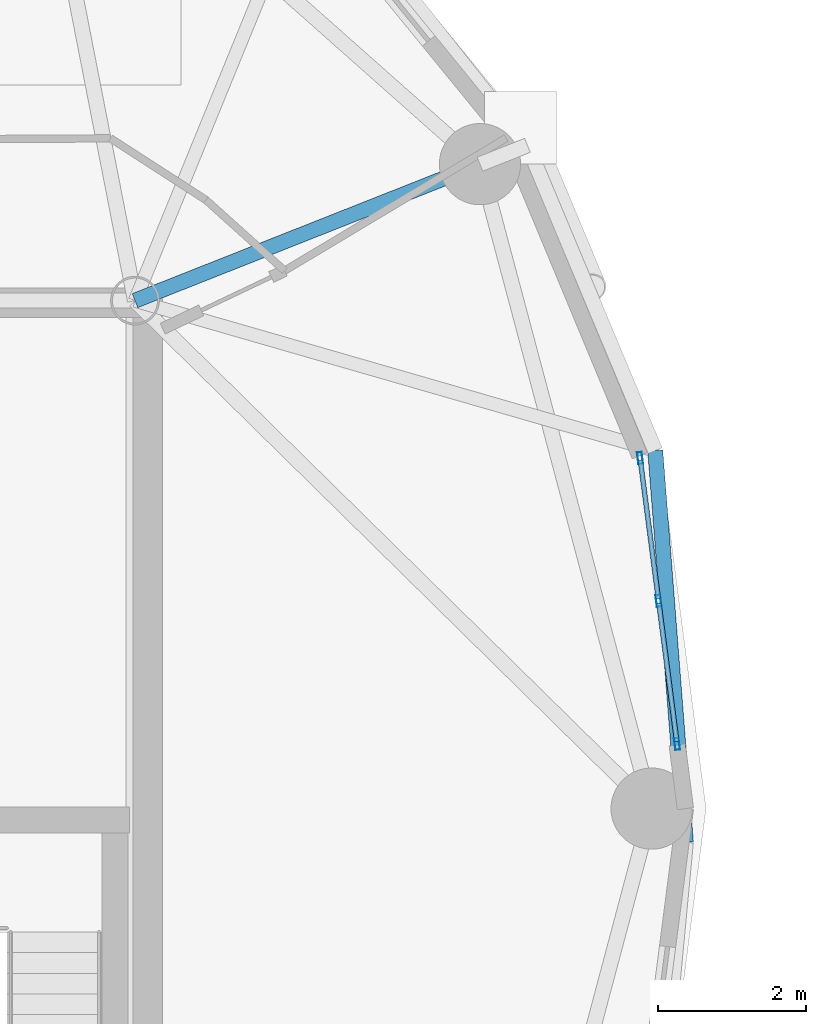
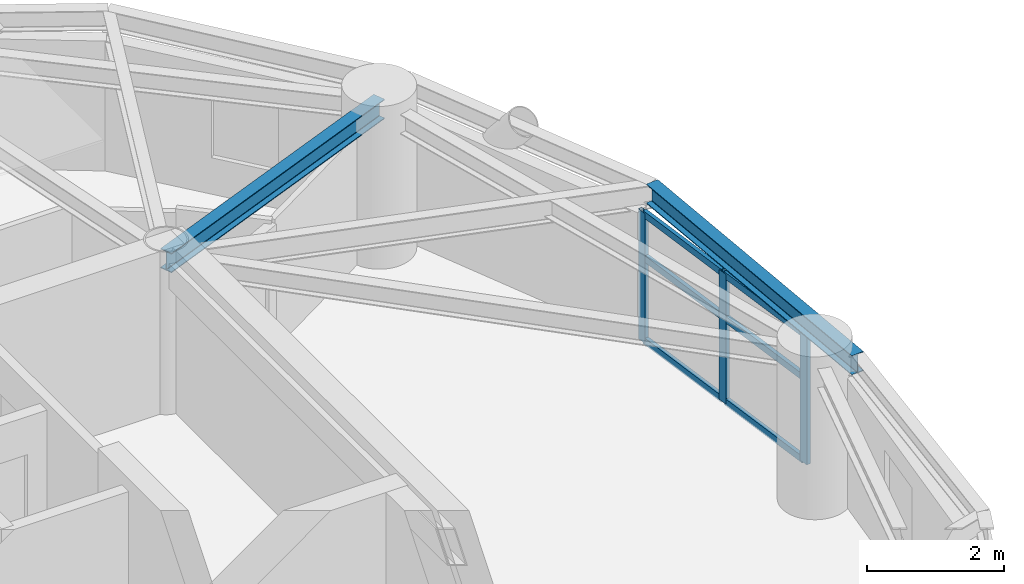
# One storey, part 3 of 16: 9 members, 2 beams, 1 element without a shape of its own.
"""IFC4 building model written with IfcOpenShell, lengths in metres."""

import ifcopenshell
import ifcopenshell.guid

model = None  # the IFC model being written
_history = None  # IfcOwnerHistory: only IFC2X3 demands one
_inside = {}  # id of a spatial element -> (the spatial element, [elements in it])
_under = {}  # id of a project, library or spatial element -> (it, [spatial elements below it])
_declared = {}  # id of a project -> (the project, [libraries it declares])
_typed = {}  # id of a type object -> (the type object, [elements of that type])
_made_of = {}  # id of a material, layer set ... -> (it, [elements and type objects made of it])


def new_model(schema):
    """Start an empty IFC model of exactly this schema.

    Asked for "IFC4X3", IfcOpenShell would pick the latest addendum, in which some entities
    have other attributes; the version numbers below select the first issue.
    IFC2X3 requires an IfcOwnerHistory on every rooted entity: one is made here for all.
    """
    global model, _history
    if schema == "IFC4X3":
        model = ifcopenshell.file(schema_version=(4, 3, 0, 0))
    else:
        model = ifcopenshell.file(schema=schema)
    _inside.clear()
    _under.clear()
    _declared.clear()
    _typed.clear()
    _made_of.clear()
    _history = None
    if model.schema == "IFC2X3":
        org = make("IfcOrganization", Name="unknown")
        user = make(
            "IfcPersonAndOrganization",
            ThePerson=make("IfcPerson", FamilyName="unknown"),
            TheOrganization=org,
        )
        app = make(
            "IfcApplication",
            ApplicationDeveloper=org,
            Version="unknown",
            ApplicationFullName="unknown",
            ApplicationIdentifier="unknown",
        )
        _history = make(
            "IfcOwnerHistory",
            OwningUser=user,
            OwningApplication=app,
            ChangeAction="ADDED",
            CreationDate=0,
        )
    return model


def make(cls, **values):
    """One entity of the class cls with the attributes given. An attribute that is None is left unset."""
    return model.create_entity(
        cls, **{name: value for name, value in values.items() if value is not None}
    )


def rooted(cls, **values):
    """An entity with a GlobalId (a new one), such as an element, a storey or a relation."""
    return make(cls, GlobalId=ifcopenshell.guid.new(), OwnerHistory=_history, **values)


def si_unit(unit_type, name, prefix=None):
    """IfcSIUnit, for example si_unit("LENGTHUNIT", "METRE", prefix="MILLI")."""
    return make("IfcSIUnit", UnitType=unit_type, Prefix=prefix, Name=name)


def assignment(units):
    """IfcUnitAssignment: the units of a project."""
    return None if units is None else make("IfcUnitAssignment", Units=units)


def point(xyz):
    """IfcCartesianPoint."""
    return None if xyz is None else make("IfcCartesianPoint", Coordinates=xyz)


def direction(xyz):
    """IfcDirection."""
    return None if xyz is None else make("IfcDirection", DirectionRatios=xyz)


def frame(location, z_axis=None, x_axis=None):
    """IfcAxis2Placement3D, a coordinate frame: its origin and axes. An axis left out is left unset."""
    return make(
        "IfcAxis2Placement3D",
        Location=point(location),
        Axis=direction(z_axis),
        RefDirection=direction(x_axis),
    )


def frame_2d(location, x_axis=None):
    """IfcAxis2Placement2D, a coordinate frame in the plane: its origin and x axis."""
    return make(
        "IfcAxis2Placement2D", Location=point(location), RefDirection=direction(x_axis)
    )


def origin():
    """The frame at (0, 0, 0) with its axes left unset."""
    return frame((0.0, 0.0, 0.0))


def origin_2d():
    """The frame at (0, 0) in the plane with its x axis left unset."""
    return frame_2d((0.0, 0.0))


def place(relative_to, where):
    """IfcLocalPlacement: puts the frame where relative to a parent placement (None: the world)."""
    return make(
        "IfcLocalPlacement", PlacementRelTo=relative_to, RelativePlacement=where
    )


def context(
    kind, dimensions, precision=None, world=None, true_north=None, identifier=None
):
    """IfcGeometricRepresentationContext, for example the 3D "Model" context."""
    return make(
        "IfcGeometricRepresentationContext",
        ContextIdentifier=identifier,
        ContextType=kind,
        CoordinateSpaceDimension=dimensions,
        Precision=precision,
        WorldCoordinateSystem=world,
        TrueNorth=true_north,
    )


def subcontext(parent, identifier, kind, view, scale=None):
    """IfcGeometricRepresentationSubContext, for example "Body" below "Model"."""
    return make(
        "IfcGeometricRepresentationSubContext",
        ContextIdentifier=identifier,
        ContextType=kind,
        ParentContext=parent,
        TargetScale=scale,
        TargetView=view,
    )


def project(units=None, contexts=None):
    """IfcProject with its units and contexts."""
    return rooted(
        "IfcProject",
        Name="project",
        RepresentationContexts=contexts,
        UnitsInContext=assignment(units),
    )


def spatial(cls, under=None, at=None, **own):
    """A site, building, storey or space (cls), placed at a placement, below another one or the project."""
    s = rooted(cls, ObjectPlacement=at, **own)
    if under is not None:
        _under.setdefault(under.id(), (under, []))[1].append(s)
    return s


def profile(cls, at=None, kind="AREA", **sizes):
    """A parametric profile (cls). Its sizes go by their IFC names, for example OverallWidth=200.0."""
    return make(cls, ProfileType=kind, Position=at, **sizes)


def hollow_rectangle(**sizes):
    """IfcRectangleHollowProfileDef."""
    return profile("IfcRectangleHollowProfileDef", **sizes)


def i_section(**sizes):
    """IfcIShapeProfileDef."""
    return profile("IfcIShapeProfileDef", **sizes)


def extrude(swept, where, along, depth):
    """IfcExtrudedAreaSolid: the profile swept, set in the frame where, extruded along a direction by depth."""
    return make(
        "IfcExtrudedAreaSolid",
        SweptArea=swept,
        Position=where,
        ExtrudedDirection=direction(along),
        Depth=depth,
    )


def shape(context_of_items, identifier, shape_type, items):
    """IfcShapeRepresentation: the items that make up one representation, for example the "Body"."""
    return make(
        "IfcShapeRepresentation",
        ContextOfItems=context_of_items,
        RepresentationIdentifier=identifier,
        RepresentationType=shape_type,
        Items=items,
    )


def material(Name=None, Category=None):
    """IfcMaterial."""
    return make("IfcMaterial", Name=Name, Category=Category)


def layer(
    of_material, thickness, ventilated=None, Name=None, Category=None, Priority=None
):
    """IfcMaterialLayer: one layer of a wall or slab, of a material (None: an air gap)."""
    return make(
        "IfcMaterialLayer",
        Material=of_material,
        LayerThickness=thickness,
        IsVentilated=ventilated,
        Name=Name,
        Category=Category,
        Priority=Priority,
    )


def layer_set(layers, Name=None):
    """IfcMaterialLayerSet."""
    return make("IfcMaterialLayerSet", MaterialLayers=layers, LayerSetName=Name)


def material_profile(
    of_material, cross_section, Name=None, Category=None, Priority=None
):
    """IfcMaterialProfile: a cross section and its material."""
    return make(
        "IfcMaterialProfile",
        Name=Name,
        Material=of_material,
        Profile=cross_section,
        Priority=Priority,
        Category=Category,
    )


def profile_set(profiles, Name=None, composite=None):
    """IfcMaterialProfileSet."""
    return make(
        "IfcMaterialProfileSet",
        Name=Name,
        MaterialProfiles=profiles,
        CompositeProfile=composite,
    )


def made_of(thing, what):
    """Note that an element or type object is made of a material, layer set ...; save() writes the relation."""
    if what is not None:
        _made_of.setdefault(what.id(), (what, []))[1].append(thing)
    return thing


def type_object(cls, material=None, **own):
    """A type object (cls), such as IfcWallType, which elements share."""
    return made_of(rooted(cls, **own), material)


def element(
    cls,
    number,
    at=None,
    inside=None,
    cuts=None,
    type_object=None,
    material=None,
    context=None,
    identifier="Body",
    shape_type=None,
    held_by="IfcProductDefinitionShape",
    body=None,
    shapes=None,
    **own,
):
    """One element of the class cls, such as IfcWall. Its Tag is "e" and its number.

    at: its placement. inside: the storey or other place that contains it. cuts: it is an
    opening in that element (IfcRelVoidsElement). A single representation is given by context,
    identifier, shape_type and body (its items); several are given by shapes. held_by: the class
    of the entity that holds the representations. save() writes the other relations.
    """
    e = rooted(cls, Tag="e%d" % number, ObjectPlacement=at, **own)
    if body is not None:
        shapes = [shape(context, identifier, shape_type, body)]
    if shapes is not None:
        e.Representation = make(held_by, Representations=shapes)
    if inside is not None:
        _inside.setdefault(inside.id(), (inside, []))[1].append(e)
    if cuts is not None:
        rooted(
            "IfcRelVoidsElement", RelatingBuildingElement=cuts, RelatedOpeningElement=e
        )
    if type_object is not None:
        _typed.setdefault(type_object.id(), (type_object, []))[1].append(e)
    return made_of(e, material)


def aggregate(whole, parts):
    """IfcRelAggregates: a whole, such as a stair, and the parts it consists of."""
    return rooted("IfcRelAggregates", RelatingObject=whole, RelatedObjects=parts)


def save(model, path):
    """Write the relations noted so far, then the file.

    IfcRelAggregates (storeys below a building ...), IfcRelContainedInSpatialStructure (elements
    in a storey), IfcRelDefinesByType, IfcRelAssociatesMaterial and IfcRelDeclares: one each for
    every whole, place, type object, material and project.
    """
    for whole, parts in _under.values():
        aggregate(whole, parts)
    for where, things in _inside.values():
        rooted(
            "IfcRelContainedInSpatialStructure",
            RelatedElements=things,
            RelatingStructure=where,
        )
    for kind, things in _typed.values():
        rooted("IfcRelDefinesByType", RelatedObjects=things, RelatingType=kind)
    for what, things in _made_of.values():
        rooted("IfcRelAssociatesMaterial", RelatedObjects=things, RelatingMaterial=what)
    for by, libraries in _declared.values():
        rooted("IfcRelDeclares", RelatingContext=by, RelatedDefinitions=libraries)
    model.write(path)


model = new_model("IFC4")

# Units and contexts
model_context = context("Model", 3, precision=1e-05, world=origin(), true_north=direction((0.0, 1.0)))
body_context = subcontext(model_context, "Body", "Model", "MODEL_VIEW")
ifc_project = project(units=[si_unit("LENGTHUNIT", "METRE"), si_unit("AREAUNIT", "SQUARE_METRE"), si_unit("VOLUMEUNIT", "CUBIC_METRE"), si_unit("PLANEANGLEUNIT", "RADIAN"), si_unit("MASSUNIT", "GRAM", prefix="KILO")], contexts=[model_context])

# Site, building, storey
site_placement = place(None, origin())
site = spatial("IfcSite", under=ifc_project, at=site_placement, CompositionType="ELEMENT")
building_placement = place(site_placement, origin())
building = spatial("IfcBuilding", under=site, at=building_placement, Name="Cununo Teusaquillo Station Towers", CompositionType="ELEMENT")
storey_placement = place(building_placement, frame((0.0, 0.0, 196.659912109375)))
storey = spatial("IfcBuildingStorey", under=building, at=storey_placement, Name="L62", CompositionType="ELEMENT", Elevation=196.659912109375)

# Beams
ifc_material_1 = material(Name="Steel ASTM A572 Grade 50", Category="steel")
ifc_material_profile_1 = material_profile(ifc_material_1, i_section(OverallWidth=0.2041015625, OverallDepth=0.35009765625, WebThickness=0.008544921875, FlangeThickness=0.01513671875, FilletRadius=0.011962890625, at=origin_2d()), Name="W14X48")
ifc_profile_set_1 = profile_set([ifc_material_profile_1], Name="Steel ASTM A572 Grade 50")
beam_type_1 = type_object("IfcBeamType", Name="BM-RAD-G3", PredefinedType="BEAM", material=ifc_profile_set_1)
beam_1_placement = place(storey_placement, frame((21.675048828125, 31.3798828125, 2.525146484375), z_axis=(0.929864104313, 0.367903176814, 0.0), x_axis=(-0.367903176814, 0.929864104313, 0.0)))
element("IfcBeam", 1, at=beam_1_placement, inside=storey, type_object=beam_type_1, Name="L62 Tower A Radial Girder 02A", PredefinedType="BEAM", context=body_context, shape_type="SweptSolid", body=[
    extrude(i_section(OverallWidth=0.2041015625, OverallDepth=0.35009765625, WebThickness=0.008544921875, FlangeThickness=0.01513671875, FilletRadius=0.011962890625, at=origin_2d()), origin(), (0.0, 0.0, 1.0), 5.02490234375),
])
ifc_material_2 = material(Name="Steel ASTM A572 Grade 50", Category="steel")
ifc_material_profile_2 = material_profile(ifc_material_2, i_section(OverallWidth=0.2041015625, OverallDepth=0.35009765625, WebThickness=0.008544921875, FlangeThickness=0.01513671875, FilletRadius=0.011962890625, at=origin_2d()), Name="W14X48")
ifc_profile_set_2 = profile_set([ifc_material_profile_2], Name="Steel ASTM A572 Grade 50")
beam_type_2 = type_object("IfcBeamType", Name="BM-RING-Z4", PredefinedType="SPANDREL", material=ifc_profile_set_2)
beam_2_placement = place(storey_placement, frame((29.135498046875, 24.044189453125, 2.525146484375), z_axis=(-0.077871988965, 0.996963366095, 0.0), x_axis=(-0.996963366095, -0.077871988965, 0.0)))
element("IfcBeam", 2, at=beam_2_placement, inside=storey, type_object=beam_type_2, Name="L62 Tower A Spandrel Ring Beam 01", PredefinedType="SPANDREL", context=body_context, shape_type="SweptSolid", body=[
    extrude(i_section(OverallWidth=0.2041015625, OverallDepth=0.35009765625, WebThickness=0.008544921875, FlangeThickness=0.01513671875, FilletRadius=0.011962890625, at=origin_2d()), origin(), (0.0, 0.0, 1.0), 5.3203125),
])

# Curtain wall, members
ifc_material_3 = material(Name="Ceramic-fritted dark low-E double glazing", Category="glass")
ifc_layer = layer(ifc_material_3, 0.179931640625)
ifc_layer_set = layer_set([ifc_layer], Name="Ceramic-fritted dark low-E double glazing")
curtain_wall_type = type_object("IfcCurtainWallType", Name="CW-SYS-07", PredefinedType="USERDEFINED", material=ifc_layer_set)
curtain_wall_placement = place(storey_placement, origin())
curtain_wall = element("IfcCurtainWall", 3, at=curtain_wall_placement, inside=storey, type_object=curtain_wall_type, Name="L62 Tower A Facade Curtain Wall C00", ObjectType="FRITTED GLAZING", PredefinedType="USERDEFINED")
ifc_material_4 = material(Name="Anodised dark bronze aluminium EN AW-6063-T6", Category="aluminium")
ifc_material_profile_3 = material_profile(ifc_material_4, hollow_rectangle(XDim=0.06494140625, YDim=0.159912109375, WallThickness=0.00390625, at=origin_2d()), Name="CW-MULL-65x160")
ifc_profile_set_3 = profile_set([ifc_material_profile_3], Name="Anodised dark bronze aluminium EN AW-6063-T6")
member_type_1 = type_object("IfcMemberType", Name="CWM-160", PredefinedType="MULLION", material=ifc_profile_set_3)
member_1_placement = place(storey_placement, frame((28.515869140625, 29.248291015625, 0.0), z_axis=(0.0, 0.0, 1.0), x_axis=(0.991741528461, 0.12825264413, 0.0)))
member_1 = element("IfcMember", 4, at=member_1_placement, type_object=member_type_1, Name="CW-07 mullion 1", PredefinedType="MULLION", context=body_context, shape_type="SweptSolid", body=[
    extrude(hollow_rectangle(XDim=0.06494140625, YDim=0.159912109375, WallThickness=0.00390625, at=origin_2d()), origin(), (0.0, 0.0, 1.0), 2.322021484375),
])
member_2_placement = place(storey_placement, frame((28.766357421875, 27.311767578125, 0.0), z_axis=(0.0, 0.0, 1.0), x_axis=(0.991741528461, 0.12825264413, 0.0)))
member_2 = element("IfcMember", 5, at=member_2_placement, type_object=member_type_1, Name="CW-07 mullion 2", PredefinedType="MULLION", context=body_context, shape_type="SweptSolid", body=[
    extrude(hollow_rectangle(XDim=0.06494140625, YDim=0.159912109375, WallThickness=0.00390625, at=origin_2d()), origin(), (0.0, 0.0, 1.0), 2.322021484375),
])
member_3_placement = place(storey_placement, frame((29.016845703125, 25.375244140625, 0.0), z_axis=(0.0, 0.0, 1.0), x_axis=(0.991741528461, 0.12825264413, 0.0)))
member_3 = element("IfcMember", 6, at=member_3_placement, type_object=member_type_1, Name="CW-07 mullion 3", PredefinedType="MULLION", context=body_context, shape_type="SweptSolid", body=[
    extrude(hollow_rectangle(XDim=0.06494140625, YDim=0.159912109375, WallThickness=0.00390625, at=origin_2d()), origin(), (0.0, 0.0, 1.0), 2.322021484375),
])
ifc_material_5 = material(Name="Anodised dark bronze aluminium EN AW-6063-T6", Category="aluminium")
ifc_material_profile_4 = material_profile(ifc_material_5, hollow_rectangle(XDim=0.06494140625, YDim=0.1201171875, WallThickness=0.00390625, at=origin_2d()), Name="CW-TRAN-65x120")
ifc_profile_set_4 = profile_set([ifc_material_profile_4], Name="Anodised dark bronze aluminium EN AW-6063-T6")
member_type_2 = type_object("IfcMemberType", Name="CWT-120", PredefinedType="USERDEFINED", material=ifc_profile_set_4)
member_4_placement = place(storey_placement, frame((28.52001953125, 29.216064453125, 0.032470703125), z_axis=(0.128299630595, -0.99173545101, 0.0), x_axis=(0.99173545101, 0.128299630595, 0.0)))
member_4 = element("IfcMember", 7, at=member_4_placement, type_object=member_type_2, Name="CW-07 transom 1.1", ObjectType="TRANSOM", PredefinedType="USERDEFINED", context=body_context, shape_type="SweptSolid", body=[
    extrude(hollow_rectangle(XDim=0.06494140625, YDim=0.1201171875, WallThickness=0.00390625, at=origin_2d()), origin(), (0.0, 0.0, 1.0), 1.8876953125),
])
member_5_placement = place(storey_placement, frame((28.52001953125, 29.216064453125, 1.509033203125), z_axis=(0.128299630595, -0.99173545101, 0.0), x_axis=(0.99173545101, 0.128299630595, 0.0)))
member_5 = element("IfcMember", 8, at=member_5_placement, type_object=member_type_2, Name="CW-07 transom 1.2", ObjectType="TRANSOM", PredefinedType="USERDEFINED", context=body_context, shape_type="SweptSolid", body=[
    extrude(hollow_rectangle(XDim=0.06494140625, YDim=0.1201171875, WallThickness=0.00390625, at=origin_2d()), origin(), (0.0, 0.0, 1.0), 1.8876953125),
])
member_6_placement = place(storey_placement, frame((28.52001953125, 29.216064453125, 2.28955078125), z_axis=(0.128299630595, -0.99173545101, 0.0), x_axis=(0.99173545101, 0.128299630595, 0.0)))
member_6 = element("IfcMember", 9, at=member_6_placement, type_object=member_type_2, Name="CW-07 transom 1.3", ObjectType="TRANSOM", PredefinedType="USERDEFINED", context=body_context, shape_type="SweptSolid", body=[
    extrude(hollow_rectangle(XDim=0.06494140625, YDim=0.1201171875, WallThickness=0.00390625, at=origin_2d()), origin(), (0.0, 0.0, 1.0), 1.8876953125),
])
member_7_placement = place(storey_placement, frame((28.7705078125, 27.279541015625, 0.032470703125), z_axis=(0.128299630595, -0.99173545101, 0.0), x_axis=(0.99173545101, 0.128299630595, 0.0)))
member_7 = element("IfcMember", 10, at=member_7_placement, type_object=member_type_2, Name="CW-07 transom 2.1", ObjectType="TRANSOM", PredefinedType="USERDEFINED", context=body_context, shape_type="SweptSolid", body=[
    extrude(hollow_rectangle(XDim=0.06494140625, YDim=0.1201171875, WallThickness=0.00390625, at=origin_2d()), origin(), (0.0, 0.0, 1.0), 1.8876953125),
])
member_8_placement = place(storey_placement, frame((28.7705078125, 27.279541015625, 1.509033203125), z_axis=(0.128299630595, -0.99173545101, 0.0), x_axis=(0.99173545101, 0.128299630595, 0.0)))
member_8 = element("IfcMember", 11, at=member_8_placement, type_object=member_type_2, Name="CW-07 transom 2.2", ObjectType="TRANSOM", PredefinedType="USERDEFINED", context=body_context, shape_type="SweptSolid", body=[
    extrude(hollow_rectangle(XDim=0.06494140625, YDim=0.1201171875, WallThickness=0.00390625, at=origin_2d()), origin(), (0.0, 0.0, 1.0), 1.8876953125),
])
member_9_placement = place(storey_placement, frame((28.7705078125, 27.279541015625, 2.28955078125), z_axis=(0.128299630595, -0.99173545101, 0.0), x_axis=(0.99173545101, 0.128299630595, 0.0)))
member_9 = element("IfcMember", 12, at=member_9_placement, type_object=member_type_2, Name="CW-07 transom 2.3", ObjectType="TRANSOM", PredefinedType="USERDEFINED", context=body_context, shape_type="SweptSolid", body=[
    extrude(hollow_rectangle(XDim=0.06494140625, YDim=0.1201171875, WallThickness=0.00390625, at=origin_2d()), origin(), (0.0, 0.0, 1.0), 1.8876953125),
])
aggregate(curtain_wall, [member_1, member_2, member_3, member_4, member_5, member_6, member_7, member_8, member_9])

save(model, "model.ifc")
